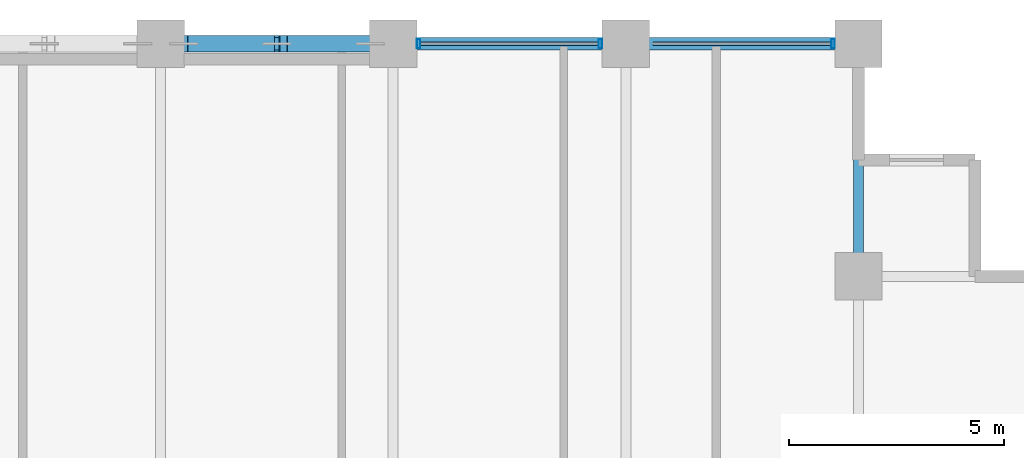
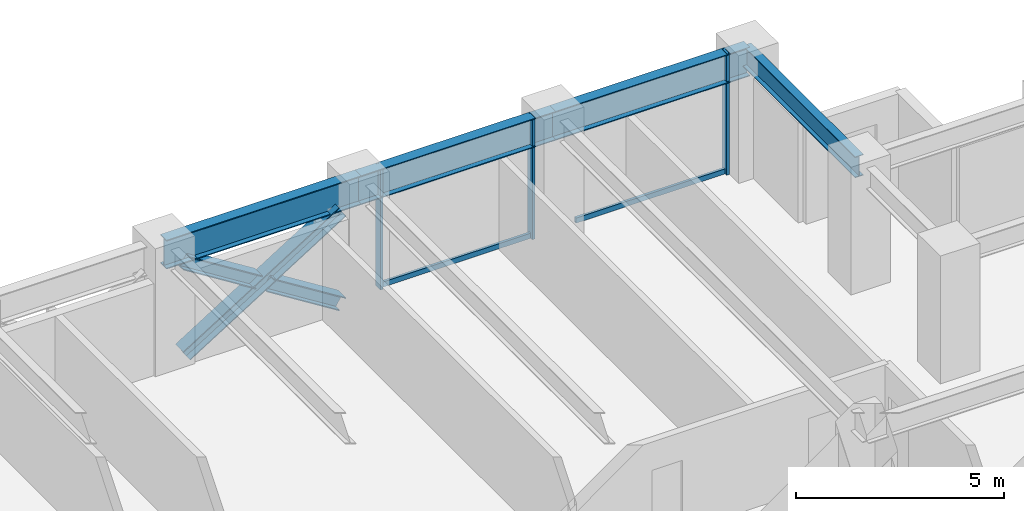
# One storey, part 16 of 25: 8 members, 4 beams, 1 element without a shape of its own.
"""IFC4 building model written with IfcOpenShell, lengths in metres."""

from ifc_helpers import new_model, si_unit, direction, frame, origin, origin_2d, place, context, subcontext, project, spatial, hollow_rectangle, i_section, extrude, material, layer, layer_set, material_profile, profile_set, type_object, element, aggregate, save


model = new_model("IFC4")

# Units and contexts
model_context = context("Model", 3, precision=1e-05, world=origin(), true_north=direction((0.0, 1.0)))
body_context = subcontext(model_context, "Body", "Model", "MODEL_VIEW")
ifc_project = project(units=[si_unit("LENGTHUNIT", "METRE"), si_unit("AREAUNIT", "SQUARE_METRE"), si_unit("VOLUMEUNIT", "CUBIC_METRE"), si_unit("PLANEANGLEUNIT", "RADIAN"), si_unit("MASSUNIT", "GRAM", prefix="KILO")], contexts=[model_context])

# Site, building, storey
site_placement = place(None, origin())
site = spatial("IfcSite", under=ifc_project, at=site_placement, CompositionType="ELEMENT")
building_placement = place(site_placement, origin())
building = spatial("IfcBuilding", under=site, at=building_placement, Name="Surkhivell Harbour Commons", CompositionType="ELEMENT")
storey_placement = place(building_placement, frame((0.0, 0.0, 109.5)))
storey = spatial("IfcBuildingStorey", under=building, at=storey_placement, Name="L28", CompositionType="ELEMENT", Elevation=109.5)

# Beams
ifc_material_1 = material(Name="Steel S355", Category="steel")
ifc_material_profile_1 = material_profile(ifc_material_1, i_section(OverallWidth=0.22998046875, OverallDepth=0.616943359375, WebThickness=0.01318359375, FlangeThickness=0.022216796875, at=origin_2d()), Name="UB610x229x140")
ifc_profile_set_1 = profile_set([ifc_material_profile_1], Name="Steel S355")
beam_type_1 = type_object("IfcBeamType", Name="BM-GRD-610B", PredefinedType="BEAM", material=ifc_profile_set_1)
beam_1_placement = place(storey_placement, frame((16.199951171875, 20.5, 3.261474609375), z_axis=(0.0, 1.0, 0.0), x_axis=(-1.0, 0.0, 0.0)))
element("IfcBeam", 1, at=beam_1_placement, inside=storey, type_object=beam_type_1, Name="L28 Floor Girder (16.2,20.5)", PredefinedType="BEAM", context=body_context, shape_type="SweptSolid", body=[
    extrude(i_section(OverallWidth=0.22998046875, OverallDepth=0.616943359375, WebThickness=0.01318359375, FlangeThickness=0.022216796875, at=origin_2d()), origin(), (0.0, 0.0, 1.0), 5.39990234375),
])
ifc_material_2 = material(Name="Steel S460", Category="steel")
ifc_material_profile_2 = material_profile(ifc_material_2, i_section(OverallWidth=0.2939453125, OverallDepth=0.85107421875, WebThickness=0.01611328125, FlangeThickness=0.02685546875, at=origin_2d()), Name="UB838x292x226")
ifc_profile_set_2 = profile_set([ifc_material_profile_2], Name="Steel S460")
beam_type_2 = type_object("IfcBeamType", Name="BM-SPN-838", PredefinedType="SPANDREL", material=ifc_profile_set_2)
beam_2_placement = place(storey_placement, frame((0.0, 25.89990234375, 3.14453125), z_axis=(1.0, 0.0, 0.0), x_axis=(0.0, 1.0, 0.0)))
element("IfcBeam", 2, at=beam_2_placement, inside=storey, type_object=beam_type_2, Name="L28 Tube Spandrel (-0.0,25.9)", PredefinedType="SPANDREL", context=body_context, shape_type="SweptSolid", body=[
    extrude(i_section(OverallWidth=0.2939453125, OverallDepth=0.85107421875, WebThickness=0.01611328125, FlangeThickness=0.02685546875, at=origin_2d()), origin(), (0.0, 0.0, 1.0), 5.39990234375),
])
beam_3_placement = place(storey_placement, frame((5.39990234375, 25.89990234375, 3.14453125), z_axis=(1.0, 0.0, 0.0), x_axis=(0.0, 1.0, 0.0)))
element("IfcBeam", 3, at=beam_3_placement, inside=storey, type_object=beam_type_2, Name="L28 Tube Spandrel (5.4,25.9)", PredefinedType="SPANDREL", context=body_context, shape_type="SweptSolid", body=[
    extrude(i_section(OverallWidth=0.2939453125, OverallDepth=0.85107421875, WebThickness=0.01611328125, FlangeThickness=0.02685546875, at=origin_2d()), origin(), (0.0, 0.0, 1.0), 5.400146484375),
])
beam_4_placement = place(storey_placement, frame((10.800048828125, 25.89990234375, 3.14453125), z_axis=(1.0, 0.0, 0.0), x_axis=(0.0, 1.0, 0.0)))
element("IfcBeam", 4, at=beam_4_placement, inside=storey, type_object=beam_type_2, Name="L28 Tube Spandrel (10.8,25.9)", PredefinedType="SPANDREL", context=body_context, shape_type="SweptSolid", body=[
    extrude(i_section(OverallWidth=0.2939453125, OverallDepth=0.85107421875, WebThickness=0.01611328125, FlangeThickness=0.02685546875, at=origin_2d()), origin(), (0.0, 0.0, 1.0), 5.39990234375),
])

# Curtain wall, members
ifc_material_3 = material(Name="Anodised pale-metal aluminium and insulated glazing", Category="aluminium")
ifc_layer = layer(ifc_material_3, 0.205078125)
ifc_layer_set = layer_set([ifc_layer], Name="Anodised pale-metal aluminium and insulated glazing")
curtain_wall_type = type_object("IfcCurtainWallType", Name="CW-SYS-Z2", PredefinedType="NOTDEFINED", material=ifc_layer_set)
curtain_wall_placement = place(storey_placement, origin())
curtain_wall = element("IfcCurtainWall", 5, at=curtain_wall_placement, inside=storey, type_object=curtain_wall_type, Name="L28 Curtain Wall CW-L28-E07S1", PredefinedType="NOTDEFINED")
ifc_material_4 = material(Name="Anodised pale-metal aluminium alloy 6063-T6", Category="aluminium")
ifc_material_profile_3 = material_profile(ifc_material_4, hollow_rectangle(XDim=0.074951171875, YDim=0.219970703125, WallThickness=0.00390625, at=origin_2d()), Name="ALU-MULL-75x220")
ifc_profile_set_3 = profile_set([ifc_material_profile_3], Name="Anodised pale-metal aluminium alloy 6063-T6")
member_type_1 = type_object("IfcMemberType", Name="CWM-220", PredefinedType="MULLION", material=ifc_profile_set_3)
member_1_placement = place(storey_placement, frame((15.610595703125, 25.89990234375, 0.0), z_axis=(0.0, 0.0, 1.0), x_axis=(-1.0, 0.0, 0.0)))
member_1 = element("IfcMember", 6, at=member_1_placement, type_object=member_type_1, Name="CW-Z2 mullion 1", PredefinedType="MULLION", context=body_context, shape_type="SweptSolid", body=[
    extrude(hollow_rectangle(XDim=0.074951171875, YDim=0.219970703125, WallThickness=0.00390625, at=origin_2d()), origin(), (0.0, 0.0, 1.0), 3.570068359375),
])
member_2_placement = place(storey_placement, frame((10.21044921875, 25.89990234375, 0.0), z_axis=(0.0, 0.0, 1.0), x_axis=(-1.0, 0.0, 0.0)))
member_2 = element("IfcMember", 7, at=member_2_placement, type_object=member_type_1, Name="CW-Z2 mullion 2", PredefinedType="MULLION", context=body_context, shape_type="SweptSolid", body=[
    extrude(hollow_rectangle(XDim=0.074951171875, YDim=0.219970703125, WallThickness=0.00390625, at=origin_2d()), origin(), (0.0, 0.0, 1.0), 3.570068359375),
])
member_3_placement = place(storey_placement, frame((5.989501953125, 25.89990234375, 0.0), z_axis=(0.0, 0.0, 1.0), x_axis=(-1.0, 0.0, 0.0)))
member_3 = element("IfcMember", 8, at=member_3_placement, type_object=member_type_1, Name="CW-Z2 mullion 3", PredefinedType="MULLION", context=body_context, shape_type="SweptSolid", body=[
    extrude(hollow_rectangle(XDim=0.074951171875, YDim=0.219970703125, WallThickness=0.00390625, at=origin_2d()), origin(), (0.0, 0.0, 1.0), 3.570068359375),
])
ifc_material_profile_4 = material_profile(ifc_material_4, hollow_rectangle(XDim=0.074951171875, YDim=0.14990234375, WallThickness=0.00341796875, at=origin_2d()), Name="ALU-TRAN-75x150")
ifc_profile_set_4 = profile_set([ifc_material_profile_4], Name="Anodised pale-metal aluminium alloy 6063-T6")
member_type_2 = type_object("IfcMemberType", Name="CWT-150", PredefinedType="USERDEFINED", material=ifc_profile_set_4)
member_4_placement = place(storey_placement, frame((15.572998046875, 25.89990234375, 0.074951171875), z_axis=(-1.0, 0.0, 0.0), x_axis=(0.0, -1.0, 0.0)))
member_4 = element("IfcMember", 9, at=member_4_placement, type_object=member_type_2, Name="CW-Z2 transom 1.1", ObjectType="TRANSOM", PredefinedType="USERDEFINED", context=body_context, shape_type="SweptSolid", body=[
    extrude(hollow_rectangle(XDim=0.074951171875, YDim=0.14990234375, WallThickness=0.00341796875, at=origin_2d()), origin(), (0.0, 0.0, 1.0), 4.14599609375),
])
member_5_placement = place(storey_placement, frame((10.173095703125, 25.89990234375, 0.074951171875), z_axis=(-1.0, 0.0, 0.0), x_axis=(0.0, -1.0, 0.0)))
member_5 = element("IfcMember", 10, at=member_5_placement, type_object=member_type_2, Name="CW-Z2 transom 2.1", ObjectType="TRANSOM", PredefinedType="USERDEFINED", context=body_context, shape_type="SweptSolid", body=[
    extrude(hollow_rectangle(XDim=0.074951171875, YDim=0.14990234375, WallThickness=0.00341796875, at=origin_2d()), origin(), (0.0, 0.0, 1.0), 4.14599609375),
])
aggregate(curtain_wall, [member_1, member_4, member_2, member_3, member_5])

# Members
ifc_material_profile_5 = material_profile(ifc_material_2, i_section(OverallWidth=0.375, OverallDepth=0.375, WebThickness=0.0166015625, FlangeThickness=0.027099609375, at=origin_2d()), Name="UC356x368x202")
ifc_profile_set_5 = profile_set([ifc_material_profile_5], Name="Steel S460")
member_type_3 = type_object("IfcMemberType", Name="MEM-BRC-UC356", PredefinedType="BRACE", material=ifc_profile_set_5)
member_6_placement = place(storey_placement, frame((0.534912109375, 25.89990234375, 0.008056640625), z_axis=(0.847246015888, 0.0, 0.531200704594), x_axis=(0.0, 1.0, 0.0)))
element("IfcMember", 11, at=member_6_placement, inside=storey, type_object=member_type_3, Name="L28 Perimeter Mega-Brace MB- 04", PredefinedType="BRACE", context=body_context, shape_type="SweptSolid", body=[
    extrude(i_section(OverallWidth=0.375, OverallDepth=0.375, WebThickness=0.0166015625, FlangeThickness=0.027099609375, at=origin_2d()), origin(), (0.0, 0.0, 1.0), 5.11083984375),
])
for number, where, z_axis, x_axis, name in (
    (12, (4.864990234375, 25.89990234375, 0.008056640625), (-0.847206308526, 0.0, 0.53126403115), (0.0, -1.0, 0.0), "L28 Perimeter Mega-Brace MB- 05"),
    (13, (2.547607421875, 25.89990234375, 1.461181640625), (-0.847281565812, 0.0, 0.531143999529), (0.0, -1.0, 0.0), "L28 Perimeter Mega-Brace MB- 06"),
):
    element("IfcMember", number, at=place(storey_placement, frame(where, z_axis=z_axis, x_axis=x_axis)), inside=storey, type_object=member_type_3, Name=name, PredefinedType="BRACE", context=body_context, shape_type="SweptSolid", body=[
        extrude(i_section(OverallWidth=0.375, OverallDepth=0.375, WebThickness=0.0166015625, FlangeThickness=0.027099609375, at=origin_2d()), origin(), (0.0, 0.0, 1.0), 2.37548828125),
    ])

save(model, "model.ifc")
